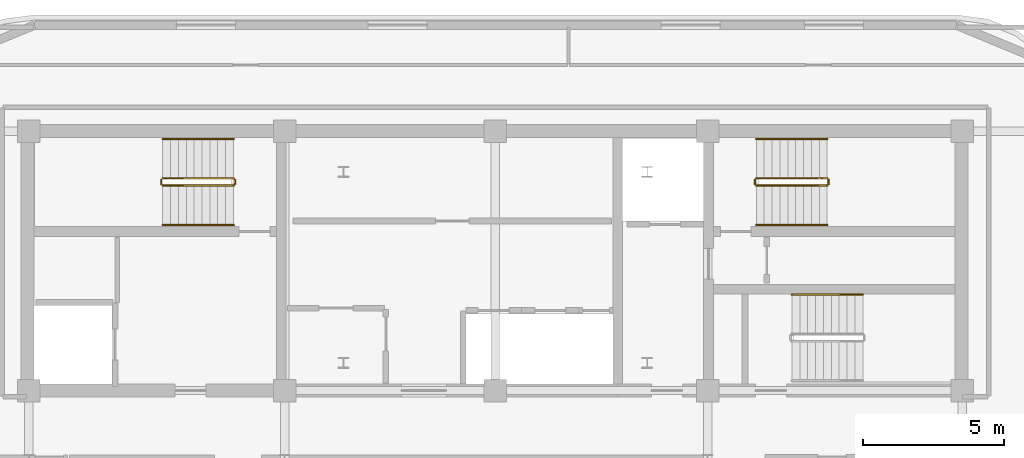
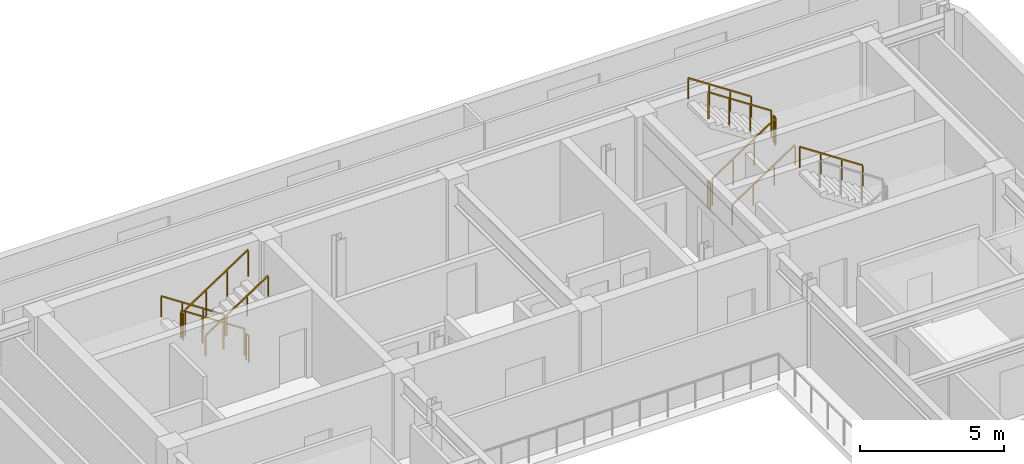
# One storey, part 12 of 12: 13 railings.
"""IFC4 building model written with IfcOpenShell, lengths in metres."""

from ifc_helpers import new_model, si_unit, direction, frame, origin, origin_2d, place, context, subcontext, project, spatial, rectangle, extrude, material, type_object, element, save


model = new_model("IFC4")

# Units and contexts
model_context = context("Model", 3, precision=1e-05, world=origin(), true_north=direction((0.0, 1.0)))
body_context = subcontext(model_context, "Body", "Model", "MODEL_VIEW")
ifc_project = project(units=[si_unit("LENGTHUNIT", "METRE"), si_unit("AREAUNIT", "SQUARE_METRE"), si_unit("VOLUMEUNIT", "CUBIC_METRE"), si_unit("PLANEANGLEUNIT", "RADIAN"), si_unit("MASSUNIT", "GRAM", prefix="KILO")], contexts=[model_context])

# Site, building, storey
site_placement = place(None, origin())
site = spatial("IfcSite", under=ifc_project, at=site_placement, CompositionType="ELEMENT")
building_placement = place(site_placement, origin())
building = spatial("IfcBuilding", under=site, at=building_placement, Name="Zarnavel Station Tower", CompositionType="ELEMENT")
storey_placement = place(building_placement, frame((0.0, 0.0, 269.5)))
storey = spatial("IfcBuildingStorey", under=building, at=storey_placement, Name="L73", CompositionType="ELEMENT", Elevation=269.5)

# Railings
ifc_material_1 = material(Name="Painted Steel S355J2 Balustrade", Category="steel")
railing_type_1 = type_object("IfcRailingType", Name="GR_INT_1150", PredefinedType="GUARDRAIL", material=ifc_material_1)
railing_1_placement = place(storey_placement, frame((19.47998046875, 35.3701171875, 0.18505859375)))
element("IfcRailing", 1, at=railing_1_placement, inside=storey, type_object=railing_type_1, Name="L73 ST1 stair guard 1", PredefinedType="GUARDRAIL", context=body_context, shape_type="SweptSolid", body=[
    extrude(rectangle(XDim=0.048095703125, YDim=0.048095703125, at=origin_2d()), frame((-0.001708984375, 0.0, 1.126953125), z_axis=(-0.834331337432, 0.0, 0.55126329406), x_axis=(0.0, -1.0, 0.0)), (0.0, 0.0, 1.0), 3.016357421875),
    extrude(rectangle(XDim=0.0419921875, YDim=0.0419921875, at=origin_2d()), origin(), (0.0, 0.0, 1.0), 1.101806640625),
    extrude(rectangle(XDim=0.0419921875, YDim=0.0419921875, at=origin_2d()), frame((-0.840087890625, 0.0, 0.554931640625)), (0.0, 0.0, 1.0), 1.101806640625),
    extrude(rectangle(XDim=0.0419921875, YDim=0.0419921875, at=origin_2d()), frame((-1.679931640625, 0.0, 1.110107421875)), (0.0, 0.0, 1.0), 1.101806640625),
    extrude(rectangle(XDim=0.0419921875, YDim=0.0419921875, at=origin_2d()), frame((-2.52001953125, 0.0, 1.6650390625)), (0.0, 0.0, 1.0), 1.101806640625),
])
railing_2_placement = place(storey_placement, frame((16.909912109375, 35.320068359375, 1.85009765625)))
element("IfcRailing", 2, at=railing_2_placement, inside=storey, type_object=railing_type_1, Name="L73 ST1 stair guard 2", PredefinedType="GUARDRAIL", context=body_context, shape_type="SweptSolid", body=[
    extrude(rectangle(XDim=0.048095703125, YDim=0.048095703125, at=origin_2d()), frame((0.0, -0.001953125, 1.1259765625), z_axis=(0.0, -1.0, 0.0), x_axis=(1.0, 0.0, 0.0)), (0.0, 0.0, 1.0), 0.15625),
    extrude(rectangle(XDim=0.0419921875, YDim=0.0419921875, at=origin_2d()), origin(), (0.0, 0.0, 1.0), 1.101806640625),
    extrude(rectangle(XDim=0.0419921875, YDim=0.0419921875, at=origin_2d()), frame((0.0, -0.16015625, 0.0)), (0.0, 0.0, 1.0), 1.101806640625),
])
railing_3_placement = place(storey_placement, frame((16.9599609375, 35.110107421875, 2.034912109375)))
element("IfcRailing", 3, at=railing_3_placement, inside=storey, type_object=railing_type_1, Name="L73 ST1 stair guard 3", PredefinedType="GUARDRAIL", context=body_context, shape_type="SweptSolid", body=[
    extrude(rectangle(XDim=0.048095703125, YDim=0.048095703125, at=origin_2d()), frame((0.001708984375, 0.0, 1.126953125), z_axis=(0.834331337432, 0.0, 0.55126329406), x_axis=(0.0, 1.0, 0.0)), (0.0, 0.0, 1.0), 3.016357421875),
    extrude(rectangle(XDim=0.0419921875, YDim=0.0419921875, at=origin_2d()), origin(), (0.0, 0.0, 1.0), 1.101806640625),
    extrude(rectangle(XDim=0.0419921875, YDim=0.0419921875, at=origin_2d()), frame((0.840087890625, 0.0, 0.554931640625)), (0.0, 0.0, 1.0), 1.101806640625),
    extrude(rectangle(XDim=0.0419921875, YDim=0.0419921875, at=origin_2d()), frame((1.679931640625, 0.0, 1.110107421875)), (0.0, 0.0, 1.0), 1.101806640625),
    extrude(rectangle(XDim=0.0419921875, YDim=0.0419921875, at=origin_2d()), frame((2.52001953125, 0.0, 1.6650390625)), (0.0, 0.0, 1.0), 1.101806640625),
])
railing_4_placement = place(storey_placement, frame((19.530029296875, 35.320068359375, 0.0)))
element("IfcRailing", 4, at=railing_4_placement, inside=storey, type_object=railing_type_1, Name="L73 ST1 stair guard 4", PredefinedType="GUARDRAIL", context=body_context, shape_type="SweptSolid", body=[
    extrude(rectangle(XDim=0.048095703125, YDim=0.048095703125, at=origin_2d()), frame((0.0, -0.001953125, 1.1259765625), z_axis=(0.0, -1.0, 0.0), x_axis=(1.0, 0.0, 0.0)), (0.0, 0.0, 1.0), 0.15625),
    extrude(rectangle(XDim=0.0419921875, YDim=0.0419921875, at=origin_2d()), origin(), (0.0, 0.0, 1.0), 1.101806640625),
    extrude(rectangle(XDim=0.0419921875, YDim=0.0419921875, at=origin_2d()), frame((0.0, -0.16015625, 0.0)), (0.0, 0.0, 1.0), 1.101806640625),
])
railing_5_placement = place(storey_placement, frame((38.080078125, 35.110107421875, 0.18505859375)))
element("IfcRailing", 5, at=railing_5_placement, inside=storey, type_object=railing_type_1, Name="L73 ST2 stair guard 1", PredefinedType="GUARDRAIL", context=body_context, shape_type="SweptSolid", body=[
    extrude(rectangle(XDim=0.048095703125, YDim=0.048095703125, at=origin_2d()), frame((0.001708984375, 0.0, 1.126953125), z_axis=(0.834331337432, 0.0, 0.55126329406), x_axis=(0.0, 1.0, 0.0)), (0.0, 0.0, 1.0), 3.016357421875),
    extrude(rectangle(XDim=0.0419921875, YDim=0.0419921875, at=origin_2d()), origin(), (0.0, 0.0, 1.0), 1.101806640625),
    extrude(rectangle(XDim=0.0419921875, YDim=0.0419921875, at=origin_2d()), frame((0.840087890625, 0.0, 0.554931640625)), (0.0, 0.0, 1.0), 1.101806640625),
    extrude(rectangle(XDim=0.0419921875, YDim=0.0419921875, at=origin_2d()), frame((1.679931640625, 0.0, 1.110107421875)), (0.0, 0.0, 1.0), 1.101806640625),
    extrude(rectangle(XDim=0.0419921875, YDim=0.0419921875, at=origin_2d()), frame((2.52001953125, 0.0, 1.6650390625)), (0.0, 0.0, 1.0), 1.101806640625),
])
railing_6_placement = place(storey_placement, frame((40.64990234375, 35.159912109375, 1.85009765625)))
element("IfcRailing", 6, at=railing_6_placement, inside=storey, type_object=railing_type_1, Name="L73 ST2 stair guard 2", PredefinedType="GUARDRAIL", context=body_context, shape_type="SweptSolid", body=[
    extrude(rectangle(XDim=0.048095703125, YDim=0.048095703125, at=origin_2d()), frame((0.0, 0.001953125, 1.1259765625), z_axis=(0.0, 1.0, 0.0), x_axis=(-1.0, 0.0, 0.0)), (0.0, 0.0, 1.0), 0.15625),
    extrude(rectangle(XDim=0.0419921875, YDim=0.0419921875, at=origin_2d()), origin(), (0.0, 0.0, 1.0), 1.101806640625),
    extrude(rectangle(XDim=0.0419921875, YDim=0.0419921875, at=origin_2d()), frame((0.0, 0.16015625, 0.0)), (0.0, 0.0, 1.0), 1.101806640625),
])
railing_7_placement = place(storey_placement, frame((40.60009765625, 35.3701171875, 2.034912109375)))
element("IfcRailing", 7, at=railing_7_placement, inside=storey, type_object=railing_type_1, Name="L73 ST2 stair guard 3", PredefinedType="GUARDRAIL", context=body_context, shape_type="SweptSolid", body=[
    extrude(rectangle(XDim=0.048095703125, YDim=0.048095703125, at=origin_2d()), frame((-0.001708984375, 0.0, 1.126953125), z_axis=(-0.834331337432, 0.0, 0.55126329406), x_axis=(0.0, -1.0, 0.0)), (0.0, 0.0, 1.0), 3.016357421875),
    extrude(rectangle(XDim=0.0419921875, YDim=0.0419921875, at=origin_2d()), origin(), (0.0, 0.0, 1.0), 1.101806640625),
    extrude(rectangle(XDim=0.0419921875, YDim=0.0419921875, at=origin_2d()), frame((-0.840087890625, 0.0, 0.554931640625)), (0.0, 0.0, 1.0), 1.101806640625),
    extrude(rectangle(XDim=0.0419921875, YDim=0.0419921875, at=origin_2d()), frame((-1.679931640625, 0.0, 1.110107421875)), (0.0, 0.0, 1.0), 1.101806640625),
    extrude(rectangle(XDim=0.0419921875, YDim=0.0419921875, at=origin_2d()), frame((-2.52001953125, 0.0, 1.6650390625)), (0.0, 0.0, 1.0), 1.101806640625),
])
railing_8_placement = place(storey_placement, frame((38.030029296875, 35.159912109375, 0.0)))
element("IfcRailing", 8, at=railing_8_placement, inside=storey, type_object=railing_type_1, Name="L73 ST2 stair guard 4", PredefinedType="GUARDRAIL", context=body_context, shape_type="SweptSolid", body=[
    extrude(rectangle(XDim=0.048095703125, YDim=0.048095703125, at=origin_2d()), frame((0.0, 0.001953125, 1.1259765625), z_axis=(0.0, 1.0, 0.0), x_axis=(-1.0, 0.0, 0.0)), (0.0, 0.0, 1.0), 0.15625),
    extrude(rectangle(XDim=0.0419921875, YDim=0.0419921875, at=origin_2d()), origin(), (0.0, 0.0, 1.0), 1.101806640625),
    extrude(rectangle(XDim=0.0419921875, YDim=0.0419921875, at=origin_2d()), frame((0.0, 0.16015625, 0.0)), (0.0, 0.0, 1.0), 1.101806640625),
])
ifc_material_2 = material(Name="Brushed Stainless Steel S355J2 Handrail", Category="steel")
railing_type_2 = type_object("IfcRailingType", Name="HR_STAIR_900", PredefinedType="HANDRAIL", material=ifc_material_2)
railing_9_placement = place(storey_placement, frame((19.47998046875, 36.77001953125, 0.18505859375)))
element("IfcRailing", 9, at=railing_9_placement, inside=storey, type_object=railing_type_2, Name="L73 ST1 stair handrail 1", PredefinedType="HANDRAIL", context=body_context, shape_type="SweptSolid", body=[
    extrude(rectangle(XDim=0.048095703125, YDim=0.048095703125, at=origin_2d()), frame((-0.001708984375, 0.0, 0.876953125), z_axis=(-0.834331337432, 0.0, 0.55126329406), x_axis=(0.0, -1.0, 0.0)), (0.0, 0.0, 1.0), 3.016357421875),
    extrude(rectangle(XDim=0.0419921875, YDim=0.0419921875, at=origin_2d()), origin(), (0.0, 0.0, 1.0), 0.851806640625),
    extrude(rectangle(XDim=0.0419921875, YDim=0.0419921875, at=origin_2d()), frame((-0.840087890625, 0.0, 0.554931640625)), (0.0, 0.0, 1.0), 0.851806640625),
    extrude(rectangle(XDim=0.0419921875, YDim=0.0419921875, at=origin_2d()), frame((-1.679931640625, 0.0, 1.110107421875)), (0.0, 0.0, 1.0), 0.851806640625),
    extrude(rectangle(XDim=0.0419921875, YDim=0.0419921875, at=origin_2d()), frame((-2.52001953125, 0.0, 1.6650390625)), (0.0, 0.0, 1.0), 0.851806640625),
])
for number, where, name in (
    (10, (16.9599609375, 33.7099609375, 2.034912109375), "L73 ST1 stair handrail 2"),
    (11, (38.080078125, 33.7099609375, 0.18505859375), "L73 ST2 stair handrail 1"),
):
    element("IfcRailing", number, at=place(storey_placement, frame(where)), inside=storey, type_object=railing_type_2, Name=name, PredefinedType="HANDRAIL", context=body_context, shape_type="SweptSolid", body=[
        extrude(rectangle(XDim=0.048095703125, YDim=0.048095703125, at=origin_2d()), frame((0.001708984375, 0.0, 0.876953125), z_axis=(0.834331337432, 0.0, 0.55126329406), x_axis=(0.0, 1.0, 0.0)), (0.0, 0.0, 1.0), 3.016357421875),
        extrude(rectangle(XDim=0.0419921875, YDim=0.0419921875, at=origin_2d()), origin(), (0.0, 0.0, 1.0), 0.851806640625),
        extrude(rectangle(XDim=0.0419921875, YDim=0.0419921875, at=origin_2d()), frame((0.840087890625, 0.0, 0.554931640625)), (0.0, 0.0, 1.0), 0.851806640625),
        extrude(rectangle(XDim=0.0419921875, YDim=0.0419921875, at=origin_2d()), frame((1.679931640625, 0.0, 1.110107421875)), (0.0, 0.0, 1.0), 0.851806640625),
        extrude(rectangle(XDim=0.0419921875, YDim=0.0419921875, at=origin_2d()), frame((2.52001953125, 0.0, 1.6650390625)), (0.0, 0.0, 1.0), 0.851806640625),
    ])
for number, where, name in (
    (12, (40.60009765625, 36.77001953125, 2.034912109375), "L73 ST2 stair handrail 2"),
    (13, (41.8701171875, 31.22998046875, 2.034912109375), "L73 ST3 stair handrail 2"),
):
    element("IfcRailing", number, at=place(storey_placement, frame(where)), inside=storey, type_object=railing_type_2, Name=name, PredefinedType="HANDRAIL", context=body_context, shape_type="SweptSolid", body=[
        extrude(rectangle(XDim=0.048095703125, YDim=0.048095703125, at=origin_2d()), frame((-0.001708984375, 0.0, 0.876953125), z_axis=(-0.834331337432, 0.0, 0.55126329406), x_axis=(0.0, -1.0, 0.0)), (0.0, 0.0, 1.0), 3.016357421875),
        extrude(rectangle(XDim=0.0419921875, YDim=0.0419921875, at=origin_2d()), origin(), (0.0, 0.0, 1.0), 0.851806640625),
        extrude(rectangle(XDim=0.0419921875, YDim=0.0419921875, at=origin_2d()), frame((-0.840087890625, 0.0, 0.554931640625)), (0.0, 0.0, 1.0), 0.851806640625),
        extrude(rectangle(XDim=0.0419921875, YDim=0.0419921875, at=origin_2d()), frame((-1.679931640625, 0.0, 1.110107421875)), (0.0, 0.0, 1.0), 0.851806640625),
        extrude(rectangle(XDim=0.0419921875, YDim=0.0419921875, at=origin_2d()), frame((-2.52001953125, 0.0, 1.6650390625)), (0.0, 0.0, 1.0), 0.851806640625),
    ])

save(model, "model.ifc")
